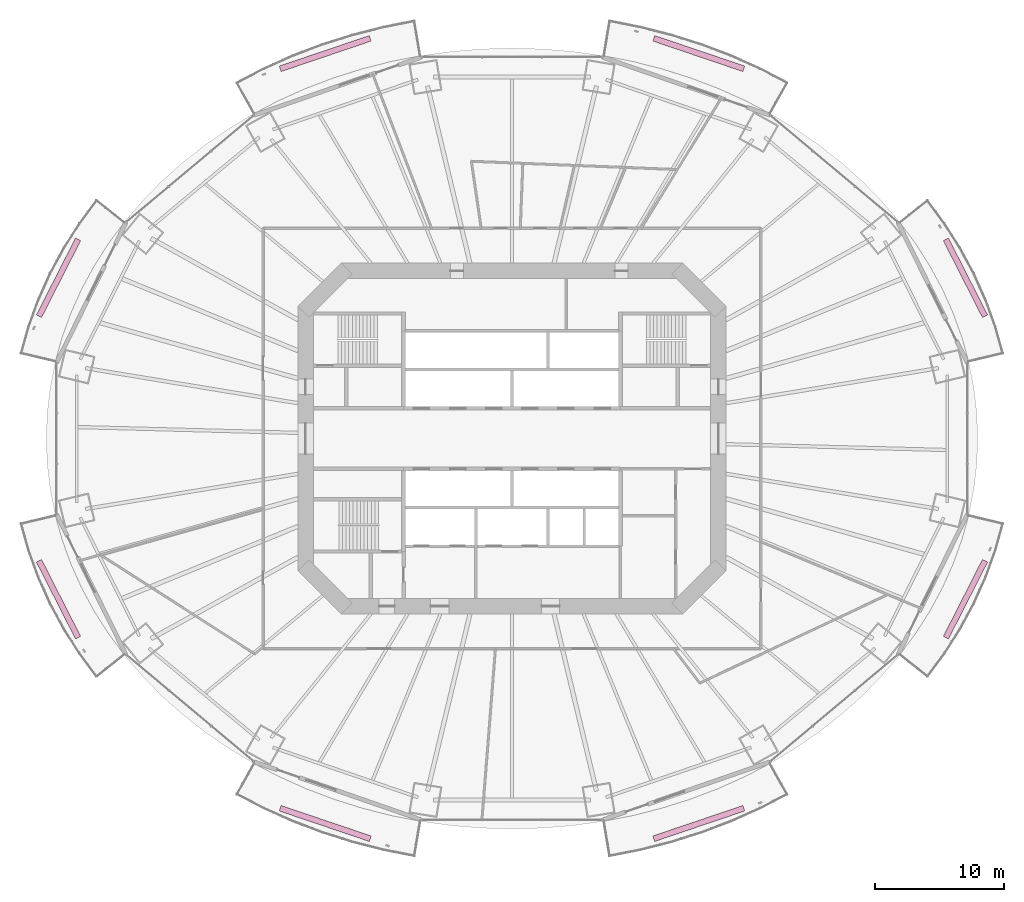
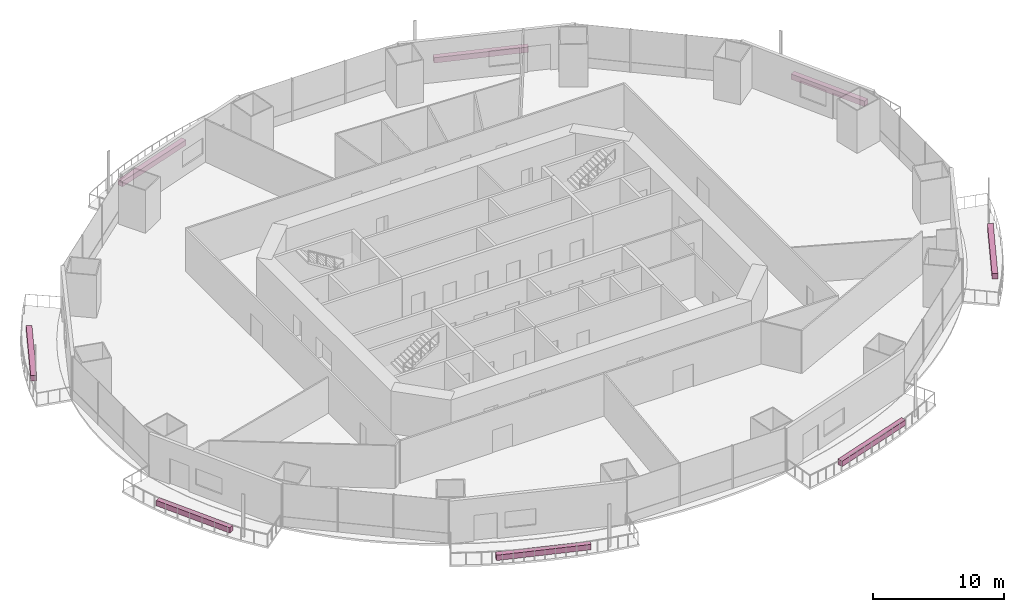
# One storey, part 23 of 23: 8 furnishings.
"""IFC4 building model written with IfcOpenShell, lengths in metres."""

from ifc_helpers import new_model, si_unit, direction, frame, origin, origin_2d, place, context, subcontext, project, spatial, rectangle, extrude, material, type_object, element, save


model = new_model("IFC4")

# Units and contexts
model_context = context("Model", 3, precision=1e-05, world=origin(), true_north=direction((0.0, 1.0)))
body_context = subcontext(model_context, "Body", "Model", "MODEL_VIEW")
ifc_project = project(units=[si_unit("LENGTHUNIT", "METRE"), si_unit("AREAUNIT", "SQUARE_METRE"), si_unit("VOLUMEUNIT", "CUBIC_METRE"), si_unit("PLANEANGLEUNIT", "RADIAN"), si_unit("MASSUNIT", "GRAM", prefix="KILO")], contexts=[model_context])

# Site, building, storey
site_placement = place(None, origin())
site = spatial("IfcSite", under=ifc_project, at=site_placement, CompositionType="ELEMENT")
building_placement = place(site_placement, origin())
building = spatial("IfcBuilding", under=site, at=building_placement, Name="Marenthal Gate Tower", CompositionType="ELEMENT")
storey_placement = place(building_placement, frame((0.0, 0.0, 62.050048828125)))
storey = spatial("IfcBuildingStorey", under=building, at=storey_placement, Name="L11", CompositionType="ELEMENT", Elevation=62.050048828125)

# Furnishings
ifc_material = material(Name="Planting soil and foliage", Category="planting")
furnishing_element_type = type_object("IfcFurnishingElementType", Name="Balcony PLANTER trough", material=ifc_material)
furnishing_1_placement = place(storey_placement, frame((35.15869140625, 12.458984375, -0.0400390625), z_axis=(0.0, 0.0, 1.0), x_axis=(-0.4535178521, 0.891247192325, 0.0)))
element("IfcFurnishingElement", 1, at=furnishing_1_placement, inside=storey, type_object=furnishing_element_type, Name="Balcony PLANTER L11 bay 1", ObjectType="PLANTER", context=body_context, shape_type="SweptSolid", body=[
    extrude(rectangle(XDim=6.69677734375, YDim=0.449951171875, at=origin_2d()), origin(), (0.0, 0.0, 1.0), 0.5),
])
for number, where, z_axis, x_axis, name in (
    (2, (14.48095703125, 29.847412109375, -0.0400390625), (0.0, 0.0, 1.0), (-0.947280338964, 0.320405929116, 0.0), "Balcony PLANTER L11 bay 3"),
    (3, (-14.48095703125, 29.847412109375, -0.0400390625), (0.0, 0.0, 1.0), (-0.947280338964, -0.320405929116, 0.0), "Balcony PLANTER L11 bay 5"),
):
    element("IfcFurnishingElement", number, at=place(storey_placement, frame(where, z_axis=z_axis, x_axis=x_axis)), inside=storey, type_object=furnishing_element_type, Name=name, ObjectType="PLANTER", context=body_context, shape_type="SweptSolid", body=[
        extrude(rectangle(XDim=7.37158203125, YDim=0.449951171875, at=origin_2d()), origin(), (0.0, 0.0, 1.0), 0.5),
    ])
for number, where, z_axis, x_axis, name in (
    (4, (-35.15869140625, 12.458984375, -0.0400390625), (0.0, 0.0, 1.0), (-0.4535178521, -0.891247192325, 0.0), "Balcony PLANTER L11 bay 7"),
    (5, (-35.15869140625, -12.458984375, -0.0400390625), (0.0, 0.0, 1.0), (0.4535178521, -0.891247192325, 0.0), "Balcony PLANTER L11 bay 9"),
):
    element("IfcFurnishingElement", number, at=place(storey_placement, frame(where, z_axis=z_axis, x_axis=x_axis)), inside=storey, type_object=furnishing_element_type, Name=name, ObjectType="PLANTER", context=body_context, shape_type="SweptSolid", body=[
        extrude(rectangle(XDim=6.69677734375, YDim=0.449951171875, at=origin_2d()), origin(), (0.0, 0.0, 1.0), 0.5),
    ])
for number, where, z_axis, x_axis, name in (
    (6, (-14.48095703125, -29.847412109375, -0.0400390625), (0.0, 0.0, 1.0), (0.947280338964, -0.320405929116, 0.0), "Balcony PLANTER L11 bay 11"),
    (7, (14.48095703125, -29.847412109375, -0.0400390625), (0.0, 0.0, 1.0), (0.947280338964, 0.320405929116, 0.0), "Balcony PLANTER L11 bay 13"),
):
    element("IfcFurnishingElement", number, at=place(storey_placement, frame(where, z_axis=z_axis, x_axis=x_axis)), inside=storey, type_object=furnishing_element_type, Name=name, ObjectType="PLANTER", context=body_context, shape_type="SweptSolid", body=[
        extrude(rectangle(XDim=7.37158203125, YDim=0.449951171875, at=origin_2d()), origin(), (0.0, 0.0, 1.0), 0.5),
    ])
furnishing_2_placement = place(storey_placement, frame((35.15869140625, -12.458984375, -0.0400390625), z_axis=(0.0, 0.0, 1.0), x_axis=(0.4535178521, 0.891247192325, 0.0)))
element("IfcFurnishingElement", 8, at=furnishing_2_placement, inside=storey, type_object=furnishing_element_type, Name="Balcony PLANTER L11 bay 15", ObjectType="PLANTER", context=body_context, shape_type="SweptSolid", body=[
    extrude(rectangle(XDim=6.69677734375, YDim=0.449951171875, at=origin_2d()), origin(), (0.0, 0.0, 1.0), 0.5),
])

save(model, "model.ifc")
